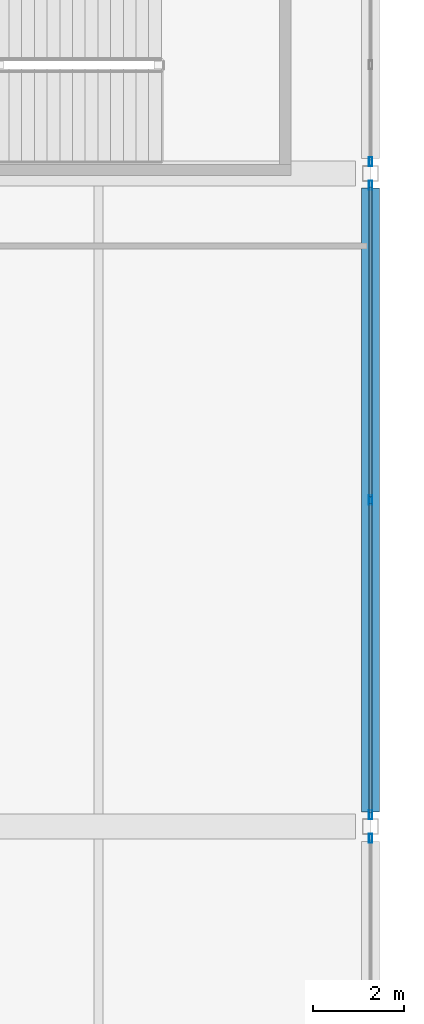
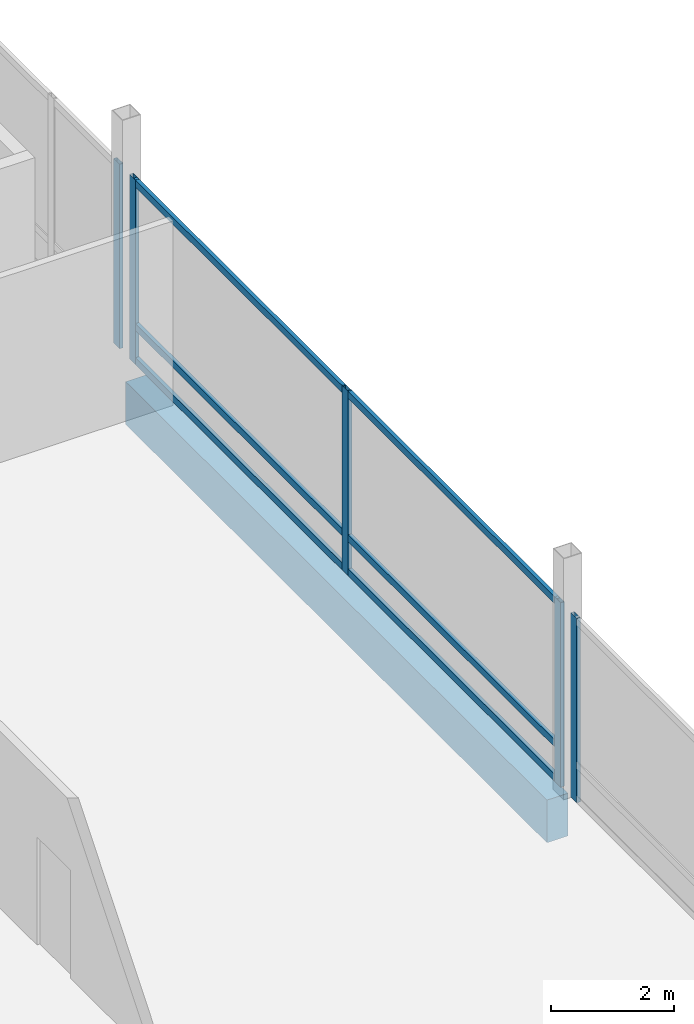
# One storey, part 89 of 193: 11 members, 1 beam, 3 elements without a shape of their own.
"""IFC4 building model written with IfcOpenShell, lengths in metres."""

from ifc_helpers import new_model, si_unit, direction, frame, origin, origin_2d, place, context, subcontext, project, spatial, rectangle, hollow_rectangle, extrude, material, material_profile, profile_set, type_object, element, aggregate, save


model = new_model("IFC4")

# Units and contexts
model_context = context("Model", 3, precision=1e-05, world=origin(), true_north=direction((0.0, 1.0)))
body_context = subcontext(model_context, "Body", "Model", "MODEL_VIEW")
ifc_project = project(units=[si_unit("LENGTHUNIT", "METRE"), si_unit("AREAUNIT", "SQUARE_METRE"), si_unit("VOLUMEUNIT", "CUBIC_METRE"), si_unit("PLANEANGLEUNIT", "RADIAN"), si_unit("MASSUNIT", "GRAM", prefix="KILO")], contexts=[model_context])

# Site, building, storey
site_placement = place(None, origin())
site = spatial("IfcSite", under=ifc_project, at=site_placement, CompositionType="ELEMENT")
building_placement = place(site_placement, origin())
building = spatial("IfcBuilding", under=site, at=building_placement, Name="Cendralis Lancet Convention Centre", CompositionType="ELEMENT")
storey_placement = place(building_placement, frame((0.0, 0.0, 10.199951171875)))
storey = spatial("IfcBuildingStorey", under=building, at=storey_placement, Name="L02", CompositionType="ELEMENT", Elevation=10.199951171875)

# Curtain wall, member
ifc_material_1 = material(Name="Anodised bronze architectural aluminium", Category="aluminium")
curtain_wall_type = type_object("IfcCurtainWallType", Name="ARC-CW-PL02", PredefinedType="USERDEFINED", material=ifc_material_1)
curtain_wall_1_placement = place(storey_placement, origin())
curtain_wall_1 = element("IfcCurtainWall", 1, at=curtain_wall_1_placement, inside=storey, type_object=curtain_wall_type, Name="L02 Curtain Wall CW-PL2 #132", ObjectType="CURTAIN WALL", PredefinedType="USERDEFINED")
ifc_material_profile_1 = material_profile(ifc_material_1, hollow_rectangle(XDim=0.070068359375, YDim=0.199951171875, WallThickness=0.0048828125, at=origin_2d()), Name="AL-MULL 70x200x5.0")
ifc_profile_set_1 = profile_set([ifc_material_profile_1], Name="Anodised bronze architectural aluminium")
member_type_1 = type_object("IfcMemberType", Name="ARC-CW-ML02", PredefinedType="MULLION", material=ifc_profile_set_1)
member_1_placement = place(storey_placement, frame((208.800048828125, 64.5400390625, 0.0), z_axis=(0.0, 0.0, 1.0), x_axis=(1.0, 0.0, 0.0)))
member_1 = element("IfcMember", 2, at=member_1_placement, type_object=member_type_1, Name="Mullion CW2-CW-PL2-L02-132-M0", PredefinedType="MULLION", context=body_context, shape_type="SweptSolid", body=[
    extrude(hollow_rectangle(XDim=0.070068359375, YDim=0.199951171875, WallThickness=0.0048828125, at=origin_2d()), origin(), (0.0, 0.0, 1.0), 3.675048828125),
])
aggregate(curtain_wall_1, [member_1])

# Curtain wall, members
curtain_wall_2_placement = place(storey_placement, origin())
curtain_wall_2 = element("IfcCurtainWall", 3, at=curtain_wall_2_placement, inside=storey, type_object=curtain_wall_type, Name="L02 Curtain Wall CW-PL2 #133", ObjectType="CURTAIN WALL", PredefinedType="USERDEFINED")
member_2_placement = place(storey_placement, frame((208.800048828125, 78.93994140625, 0.0), z_axis=(0.0, 0.0, 1.0), x_axis=(1.0, 0.0, 0.0)))
member_2 = element("IfcMember", 4, at=member_2_placement, type_object=member_type_1, Name="Mullion CW2-CW-PL2-L02-133-M0", PredefinedType="MULLION", context=body_context, shape_type="SweptSolid", body=[
    extrude(hollow_rectangle(XDim=0.070068359375, YDim=0.199951171875, WallThickness=0.0048828125, at=origin_2d()), origin(), (0.0, 0.0, 1.0), 3.675048828125),
])
member_3_placement = place(storey_placement, frame((208.800048828125, 72.0, 0.0), z_axis=(0.0, 0.0, 1.0), x_axis=(1.0, 0.0, 0.0)))
member_3 = element("IfcMember", 5, at=member_3_placement, type_object=member_type_1, Name="Mullion CW2-CW-PL2-L02-133-M1", PredefinedType="MULLION", context=body_context, shape_type="SweptSolid", body=[
    extrude(hollow_rectangle(XDim=0.070068359375, YDim=0.199951171875, WallThickness=0.0048828125, at=origin_2d()), origin(), (0.0, 0.0, 1.0), 3.675048828125),
])
member_4_placement = place(storey_placement, frame((208.800048828125, 65.06005859375, 0.0), z_axis=(0.0, 0.0, 1.0), x_axis=(1.0, 0.0, 0.0)))
member_4 = element("IfcMember", 6, at=member_4_placement, type_object=member_type_1, Name="Mullion CW2-CW-PL2-L02-133-M2", PredefinedType="MULLION", context=body_context, shape_type="SweptSolid", body=[
    extrude(hollow_rectangle(XDim=0.070068359375, YDim=0.199951171875, WallThickness=0.0048828125, at=origin_2d()), origin(), (0.0, 0.0, 1.0), 3.675048828125),
])

# Curtain wall, member
curtain_wall_3_placement = place(storey_placement, origin())
curtain_wall_3 = element("IfcCurtainWall", 7, at=curtain_wall_3_placement, inside=storey, type_object=curtain_wall_type, Name="L02 Curtain Wall CW-PL2 #134", ObjectType="CURTAIN WALL", PredefinedType="USERDEFINED")
member_5_placement = place(storey_placement, frame((208.800048828125, 79.4599609375, 0.0), z_axis=(0.0, 0.0, 1.0), x_axis=(1.0, 0.0, 0.0)))
member_5 = element("IfcMember", 8, at=member_5_placement, type_object=member_type_1, Name="Mullion CW2-CW-PL2-L02-134-M2", PredefinedType="MULLION", context=body_context, shape_type="SweptSolid", body=[
    extrude(hollow_rectangle(XDim=0.070068359375, YDim=0.199951171875, WallThickness=0.0048828125, at=origin_2d()), origin(), (0.0, 0.0, 1.0), 3.675048828125),
])
aggregate(curtain_wall_3, [member_5])

# Member
ifc_material_profile_2 = material_profile(ifc_material_1, hollow_rectangle(XDim=0.070068359375, YDim=0.139892578125, WallThickness=0.00390625, at=origin_2d()), Name="AL-TRAN 70x140x4.0")
ifc_profile_set_2 = profile_set([ifc_material_profile_2], Name="Anodised bronze architectural aluminium")
member_type_2 = type_object("IfcMemberType", Name="ARC-CW-TR02", PredefinedType="USERDEFINED", material=ifc_profile_set_2)
member_6_placement = place(storey_placement, frame((208.800048828125, 78.905029296875, 0.070068359375), z_axis=(0.0, -1.0, 0.0), x_axis=(1.0, 0.0, 0.0)))
member_6 = element("IfcMember", 9, at=member_6_placement, type_object=member_type_2, Name="Transom CW2-CW-PL2-L02-133-T0BOT", ObjectType="TRANSOM", PredefinedType="USERDEFINED", context=body_context, shape_type="SweptSolid", body=[
    extrude(hollow_rectangle(XDim=0.070068359375, YDim=0.139892578125, WallThickness=0.00390625, at=origin_2d()), origin(), (0.0, 0.0, 1.0), 6.8349609375),
])

member_7_placement = place(storey_placement, frame((208.800048828125, 78.905029296875, 0.75), z_axis=(0.0, -1.0, 0.0), x_axis=(1.0, 0.0, 0.0)))
member_7 = element("IfcMember", 10, at=member_7_placement, type_object=member_type_2, Name="Transom CW2-CW-PL2-L02-133-T0MID", ObjectType="TRANSOM", PredefinedType="USERDEFINED", context=body_context, shape_type="SweptSolid", body=[
    extrude(hollow_rectangle(XDim=0.070068359375, YDim=0.139892578125, WallThickness=0.00390625, at=origin_2d()), origin(), (0.0, 0.0, 1.0), 6.8349609375),
])

member_8_placement = place(storey_placement, frame((208.800048828125, 78.905029296875, 3.60498046875), z_axis=(0.0, -1.0, 0.0), x_axis=(1.0, 0.0, 0.0)))
member_8 = element("IfcMember", 11, at=member_8_placement, type_object=member_type_2, Name="Transom CW2-CW-PL2-L02-133-T0TOP", ObjectType="TRANSOM", PredefinedType="USERDEFINED", context=body_context, shape_type="SweptSolid", body=[
    extrude(hollow_rectangle(XDim=0.070068359375, YDim=0.139892578125, WallThickness=0.00390625, at=origin_2d()), origin(), (0.0, 0.0, 1.0), 6.8349609375),
])

member_9_placement = place(storey_placement, frame((208.800048828125, 71.929931640625, 0.070068359375), z_axis=(0.0, -1.0, 0.0), x_axis=(1.0, 0.0, 0.0)))
member_9 = element("IfcMember", 12, at=member_9_placement, type_object=member_type_2, Name="Transom CW2-CW-PL2-L02-133-T1BOT", ObjectType="TRANSOM", PredefinedType="USERDEFINED", context=body_context, shape_type="SweptSolid", body=[
    extrude(hollow_rectangle(XDim=0.070068359375, YDim=0.139892578125, WallThickness=0.00390625, at=origin_2d()), origin(), (0.0, 0.0, 1.0), 6.8349609375),
])

member_10_placement = place(storey_placement, frame((208.800048828125, 71.929931640625, 0.75), z_axis=(0.0, -1.0, 0.0), x_axis=(1.0, 0.0, 0.0)))
member_10 = element("IfcMember", 13, at=member_10_placement, type_object=member_type_2, Name="Transom CW2-CW-PL2-L02-133-T1MID", ObjectType="TRANSOM", PredefinedType="USERDEFINED", context=body_context, shape_type="SweptSolid", body=[
    extrude(hollow_rectangle(XDim=0.070068359375, YDim=0.139892578125, WallThickness=0.00390625, at=origin_2d()), origin(), (0.0, 0.0, 1.0), 6.8349609375),
])

member_11_placement = place(storey_placement, frame((208.800048828125, 71.929931640625, 3.60498046875), z_axis=(0.0, -1.0, 0.0), x_axis=(1.0, 0.0, 0.0)))
member_11 = element("IfcMember", 14, at=member_11_placement, type_object=member_type_2, Name="Transom CW2-CW-PL2-L02-133-T1TOP", ObjectType="TRANSOM", PredefinedType="USERDEFINED", context=body_context, shape_type="SweptSolid", body=[
    extrude(hollow_rectangle(XDim=0.070068359375, YDim=0.139892578125, WallThickness=0.00390625, at=origin_2d()), origin(), (0.0, 0.0, 1.0), 6.8349609375),
])

aggregate(curtain_wall_2, [member_2, member_3, member_4, member_6, member_7, member_8, member_9, member_10, member_11])

# Beam
ifc_material_2 = material(Name="Concrete G40 (C40/50)", Category="concrete")
ifc_material_profile_3 = material_profile(ifc_material_2, rectangle(XDim=0.39990234375, YDim=0.85009765625, at=origin_2d()), Name="RCB 400x850")
ifc_profile_set_3 = profile_set([ifc_material_profile_3], Name="Concrete G40 (C40/50)")
beam_type = type_object("IfcBeamType", Name="STR-SP-SP02", PredefinedType="SPANDREL", material=ifc_profile_set_3)
beam_placement = place(storey_placement, frame((208.800048828125, 65.125, -0.724853515625), z_axis=(0.0, 1.0, 0.0), x_axis=(-1.0, 0.0, 0.0)))
element("IfcBeam", 15, at=beam_placement, inside=storey, type_object=beam_type, Name="L02 Beam SP02 #1494", PredefinedType="SPANDREL", context=body_context, shape_type="SweptSolid", body=[
    extrude(rectangle(XDim=0.39990234375, YDim=0.85009765625, at=origin_2d()), origin(), (0.0, 0.0, 1.0), 13.75),
])

save(model, "model.ifc")
